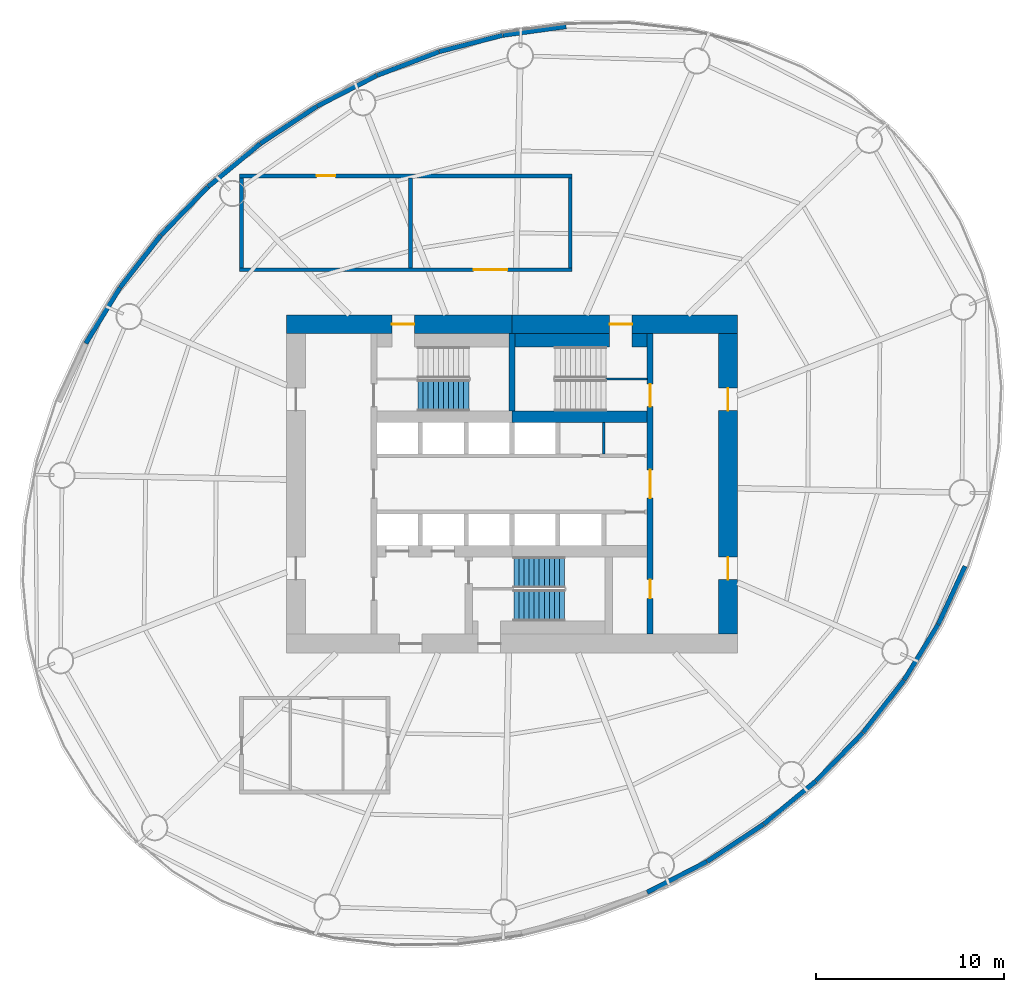
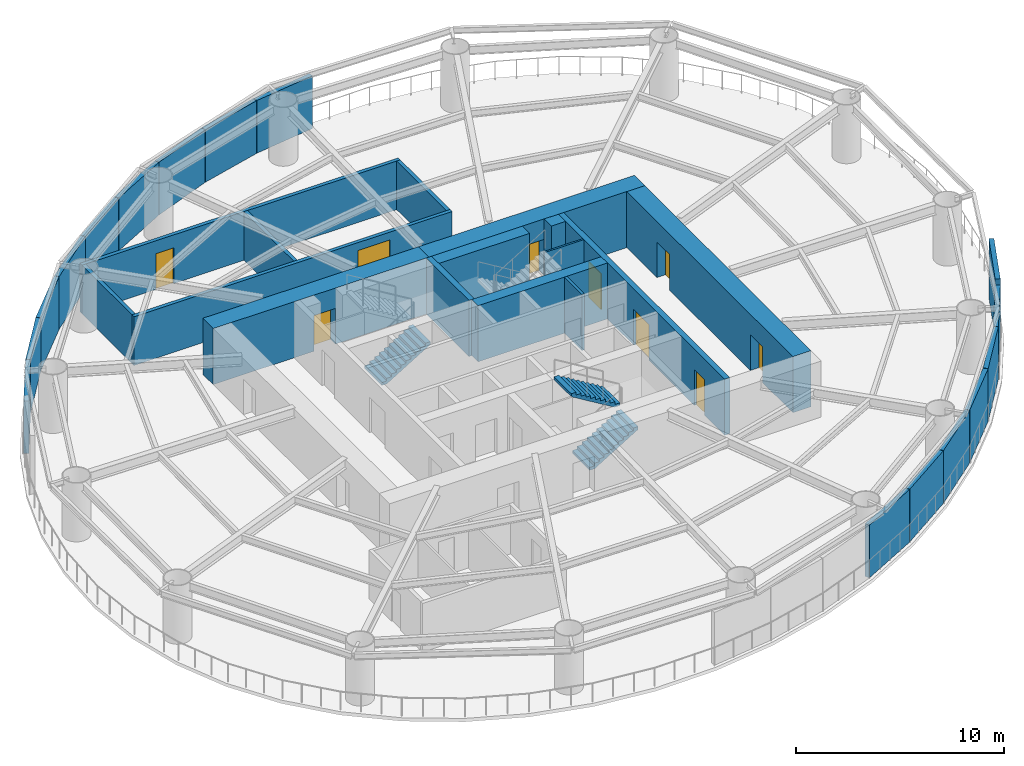
# One storey, part 4 of 8: 31 walls, 9 doors, 3 stair flights, 9 openings, 2 elements without a shape of their own.
"""IFC4 building model written with IfcOpenShell, lengths in metres."""

import ifcopenshell
import ifcopenshell.guid

model = None  # the IFC model being written
_history = None  # IfcOwnerHistory: only IFC2X3 demands one
_inside = {}  # id of a spatial element -> (the spatial element, [elements in it])
_under = {}  # id of a project, library or spatial element -> (it, [spatial elements below it])
_declared = {}  # id of a project -> (the project, [libraries it declares])
_typed = {}  # id of a type object -> (the type object, [elements of that type])
_made_of = {}  # id of a material, layer set ... -> (it, [elements and type objects made of it])


def new_model(schema):
    """Start an empty IFC model of exactly this schema.

    Asked for "IFC4X3", IfcOpenShell would pick the latest addendum, in which some entities
    have other attributes; the version numbers below select the first issue.
    IFC2X3 requires an IfcOwnerHistory on every rooted entity: one is made here for all.
    """
    global model, _history
    if schema == "IFC4X3":
        model = ifcopenshell.file(schema_version=(4, 3, 0, 0))
    else:
        model = ifcopenshell.file(schema=schema)
    _inside.clear()
    _under.clear()
    _declared.clear()
    _typed.clear()
    _made_of.clear()
    _history = None
    if model.schema == "IFC2X3":
        org = make("IfcOrganization", Name="unknown")
        user = make(
            "IfcPersonAndOrganization",
            ThePerson=make("IfcPerson", FamilyName="unknown"),
            TheOrganization=org,
        )
        app = make(
            "IfcApplication",
            ApplicationDeveloper=org,
            Version="unknown",
            ApplicationFullName="unknown",
            ApplicationIdentifier="unknown",
        )
        _history = make(
            "IfcOwnerHistory",
            OwningUser=user,
            OwningApplication=app,
            ChangeAction="ADDED",
            CreationDate=0,
        )
    return model


def make(cls, **values):
    """One entity of the class cls with the attributes given. An attribute that is None is left unset."""
    return model.create_entity(
        cls, **{name: value for name, value in values.items() if value is not None}
    )


def rooted(cls, **values):
    """An entity with a GlobalId (a new one), such as an element, a storey or a relation."""
    return make(cls, GlobalId=ifcopenshell.guid.new(), OwnerHistory=_history, **values)


def si_unit(unit_type, name, prefix=None):
    """IfcSIUnit, for example si_unit("LENGTHUNIT", "METRE", prefix="MILLI")."""
    return make("IfcSIUnit", UnitType=unit_type, Prefix=prefix, Name=name)


def assignment(units):
    """IfcUnitAssignment: the units of a project."""
    return None if units is None else make("IfcUnitAssignment", Units=units)


def point(xyz):
    """IfcCartesianPoint."""
    return None if xyz is None else make("IfcCartesianPoint", Coordinates=xyz)


def direction(xyz):
    """IfcDirection."""
    return None if xyz is None else make("IfcDirection", DirectionRatios=xyz)


def frame(location, z_axis=None, x_axis=None):
    """IfcAxis2Placement3D, a coordinate frame: its origin and axes. An axis left out is left unset."""
    return make(
        "IfcAxis2Placement3D",
        Location=point(location),
        Axis=direction(z_axis),
        RefDirection=direction(x_axis),
    )


def frame_2d(location, x_axis=None):
    """IfcAxis2Placement2D, a coordinate frame in the plane: its origin and x axis."""
    return make(
        "IfcAxis2Placement2D", Location=point(location), RefDirection=direction(x_axis)
    )


def origin():
    """The frame at (0, 0, 0) with its axes left unset."""
    return frame((0.0, 0.0, 0.0))


def place(relative_to, where):
    """IfcLocalPlacement: puts the frame where relative to a parent placement (None: the world)."""
    return make(
        "IfcLocalPlacement", PlacementRelTo=relative_to, RelativePlacement=where
    )


def context(
    kind, dimensions, precision=None, world=None, true_north=None, identifier=None
):
    """IfcGeometricRepresentationContext, for example the 3D "Model" context."""
    return make(
        "IfcGeometricRepresentationContext",
        ContextIdentifier=identifier,
        ContextType=kind,
        CoordinateSpaceDimension=dimensions,
        Precision=precision,
        WorldCoordinateSystem=world,
        TrueNorth=true_north,
    )


def subcontext(parent, identifier, kind, view, scale=None):
    """IfcGeometricRepresentationSubContext, for example "Body" below "Model"."""
    return make(
        "IfcGeometricRepresentationSubContext",
        ContextIdentifier=identifier,
        ContextType=kind,
        ParentContext=parent,
        TargetScale=scale,
        TargetView=view,
    )


def project(units=None, contexts=None):
    """IfcProject with its units and contexts."""
    return rooted(
        "IfcProject",
        Name="project",
        RepresentationContexts=contexts,
        UnitsInContext=assignment(units),
    )


def spatial(cls, under=None, at=None, **own):
    """A site, building, storey or space (cls), placed at a placement, below another one or the project."""
    s = rooted(cls, ObjectPlacement=at, **own)
    if under is not None:
        _under.setdefault(under.id(), (under, []))[1].append(s)
    return s


def polyline(points):
    """IfcPolyline through the points."""
    return make("IfcPolyline", Points=[point(p) for p in points])


def profile(cls, at=None, kind="AREA", **sizes):
    """A parametric profile (cls). Its sizes go by their IFC names, for example OverallWidth=200.0."""
    return make(cls, ProfileType=kind, Position=at, **sizes)


def rectangle(**sizes):
    """IfcRectangleProfileDef."""
    return profile("IfcRectangleProfileDef", **sizes)


def outline(outer, holes=None, kind="AREA"):
    """IfcArbitraryClosedProfileDef: a profile drawn as a closed curve; with holes, ...WithVoids."""
    if holes is None:
        return make("IfcArbitraryClosedProfileDef", ProfileType=kind, OuterCurve=outer)
    return make(
        "IfcArbitraryProfileDefWithVoids",
        ProfileType=kind,
        OuterCurve=outer,
        InnerCurves=holes,
    )


def extrude(swept, where, along, depth):
    """IfcExtrudedAreaSolid: the profile swept, set in the frame where, extruded along a direction by depth."""
    return make(
        "IfcExtrudedAreaSolid",
        SweptArea=swept,
        Position=where,
        ExtrudedDirection=direction(along),
        Depth=depth,
    )


def shape(context_of_items, identifier, shape_type, items):
    """IfcShapeRepresentation: the items that make up one representation, for example the "Body"."""
    return make(
        "IfcShapeRepresentation",
        ContextOfItems=context_of_items,
        RepresentationIdentifier=identifier,
        RepresentationType=shape_type,
        Items=items,
    )


def material(Name=None, Category=None):
    """IfcMaterial."""
    return make("IfcMaterial", Name=Name, Category=Category)


def layer(
    of_material, thickness, ventilated=None, Name=None, Category=None, Priority=None
):
    """IfcMaterialLayer: one layer of a wall or slab, of a material (None: an air gap)."""
    return make(
        "IfcMaterialLayer",
        Material=of_material,
        LayerThickness=thickness,
        IsVentilated=ventilated,
        Name=Name,
        Category=Category,
        Priority=Priority,
    )


def layer_set(layers, Name=None):
    """IfcMaterialLayerSet."""
    return make("IfcMaterialLayerSet", MaterialLayers=layers, LayerSetName=Name)


def made_of(thing, what):
    """Note that an element or type object is made of a material, layer set ...; save() writes the relation."""
    if what is not None:
        _made_of.setdefault(what.id(), (what, []))[1].append(thing)
    return thing


def type_object(cls, material=None, **own):
    """A type object (cls), such as IfcWallType, which elements share."""
    return made_of(rooted(cls, **own), material)


def element(
    cls,
    number,
    at=None,
    inside=None,
    cuts=None,
    type_object=None,
    material=None,
    context=None,
    identifier="Body",
    shape_type=None,
    held_by="IfcProductDefinitionShape",
    body=None,
    shapes=None,
    **own,
):
    """One element of the class cls, such as IfcWall. Its Tag is "e" and its number.

    at: its placement. inside: the storey or other place that contains it. cuts: it is an
    opening in that element (IfcRelVoidsElement). A single representation is given by context,
    identifier, shape_type and body (its items); several are given by shapes. held_by: the class
    of the entity that holds the representations. save() writes the other relations.
    """
    e = rooted(cls, Tag="e%d" % number, ObjectPlacement=at, **own)
    if body is not None:
        shapes = [shape(context, identifier, shape_type, body)]
    if shapes is not None:
        e.Representation = make(held_by, Representations=shapes)
    if inside is not None:
        _inside.setdefault(inside.id(), (inside, []))[1].append(e)
    if cuts is not None:
        rooted(
            "IfcRelVoidsElement", RelatingBuildingElement=cuts, RelatedOpeningElement=e
        )
    if type_object is not None:
        _typed.setdefault(type_object.id(), (type_object, []))[1].append(e)
    return made_of(e, material)


def fill(opening, filler):
    """IfcRelFillsElement: the door or window that sits in an opening."""
    return rooted(
        "IfcRelFillsElement",
        RelatingOpeningElement=opening,
        RelatedBuildingElement=filler,
    )


def aggregate(whole, parts):
    """IfcRelAggregates: a whole, such as a stair, and the parts it consists of."""
    return rooted("IfcRelAggregates", RelatingObject=whole, RelatedObjects=parts)


def save(model, path):
    """Write the relations noted so far, then the file.

    IfcRelAggregates (storeys below a building ...), IfcRelContainedInSpatialStructure (elements
    in a storey), IfcRelDefinesByType, IfcRelAssociatesMaterial and IfcRelDeclares: one each for
    every whole, place, type object, material and project.
    """
    for whole, parts in _under.values():
        aggregate(whole, parts)
    for where, things in _inside.values():
        rooted(
            "IfcRelContainedInSpatialStructure",
            RelatedElements=things,
            RelatingStructure=where,
        )
    for kind, things in _typed.values():
        rooted("IfcRelDefinesByType", RelatedObjects=things, RelatingType=kind)
    for what, things in _made_of.values():
        rooted("IfcRelAssociatesMaterial", RelatedObjects=things, RelatingMaterial=what)
    for by, libraries in _declared.values():
        rooted("IfcRelDeclares", RelatingContext=by, RelatedDefinitions=libraries)
    model.write(path)


model = new_model("IFC4")

# Units and contexts
model_context = context("Model", 3, precision=1e-05, world=origin(), true_north=direction((0.0, 1.0)))
body_context = subcontext(model_context, "Body", "Model", "MODEL_VIEW")
ifc_project = project(units=[si_unit("LENGTHUNIT", "METRE"), si_unit("AREAUNIT", "SQUARE_METRE"), si_unit("VOLUMEUNIT", "CUBIC_METRE"), si_unit("PLANEANGLEUNIT", "RADIAN"), si_unit("MASSUNIT", "GRAM", prefix="KILO")], contexts=[model_context])

# Site, building, storey
site_placement = place(None, origin())
site = spatial("IfcSite", under=ifc_project, at=site_placement, CompositionType="ELEMENT")
building_placement = place(site_placement, origin())
building = spatial("IfcBuilding", under=site, at=building_placement, Name="Vermilion Reach Broadcast Tower", CompositionType="ELEMENT")
storey_placement = place(building_placement, frame((0.0, 0.0, 179.39990234375)))
storey = spatial("IfcBuildingStorey", under=building, at=storey_placement, Name="L43", CompositionType="ELEMENT", Elevation=179.39990234375)

# Wall, openings, doors
ifc_material_1 = material(Name="Concrete C70", Category="concrete")
ifc_layer_1 = layer(ifc_material_1, 0.300048828125)
ifc_layer_set_1 = layer_set([ifc_layer_1], Name="Core inner wall 300 mm Concrete C70")
wall_type_1 = type_object("IfcWallType", Name="Core inner wall 300 mm Concrete C70", PredefinedType="SHEAR", material=ifc_layer_set_1)
wall_1_placement = place(storey_placement, frame((1.35009765625, -8.0, 0.0), z_axis=(0.0, 0.0, 1.0), x_axis=(0.0, 1.0, 0.0)))
wall_1 = element("IfcWall", 1, at=wall_1_placement, inside=storey, type_object=wall_type_1, Name="L43 core wall ewE", PredefinedType="SHEAR", context=body_context, shape_type="SweptSolid", body=[
    extrude(rectangle(XDim=16.0, YDim=0.300048828125, at=frame_2d((8.0, 0.0))), origin(), (0.0, 0.0, 1.0), 3.300048828125),
])
opening_1_placement = place(wall_1_placement, frame((12.110107421875, 0.0, 0.0)))
opening_1 = element("IfcOpeningElement", 2, at=opening_1_placement, cuts=wall_1, Name="Opening D01", PredefinedType="OPENING", context=body_context, shape_type="SweptSolid", body=[
    extrude(rectangle(XDim=1.199951171875, YDim=2.10009765625, at=frame_2d((0.60009765625, 1.050048828125))), frame((0.0, 0.159912109375, 0.0), z_axis=(0.0, -1.0, 0.0), x_axis=(1.0, 0.0, 0.0)), (0.0, 0.0, 1.0), 0.320068359375),
])
opening_2_placement = place(wall_1_placement, frame((1.909912109375, 0.0, 0.0)))
opening_2 = element("IfcOpeningElement", 3, at=opening_2_placement, cuts=wall_1, Name="Opening D05", PredefinedType="OPENING", context=body_context, shape_type="SweptSolid", body=[
    extrude(rectangle(XDim=1.0, YDim=2.10009765625, at=frame_2d((0.5, 1.050048828125))), frame((0.0, 0.159912109375, 0.0), z_axis=(0.0, -1.0, 0.0), x_axis=(1.0, 0.0, 0.0)), (0.0, 0.0, 1.0), 0.320068359375),
])
opening_3_placement = place(wall_1_placement, frame((7.25, 0.0, 0.0)))
opening_3 = element("IfcOpeningElement", 4, at=opening_3_placement, cuts=wall_1, Name="Opening D04", PredefinedType="OPENING", context=body_context, shape_type="SweptSolid", body=[
    extrude(rectangle(XDim=1.5, YDim=2.10009765625, at=frame_2d((0.75, 1.050048828125))), frame((0.0, 0.159912109375, 0.0), z_axis=(0.0, -1.0, 0.0), x_axis=(1.0, 0.0, 0.0)), (0.0, 0.0, 1.0), 0.320068359375),
])
ifc_material_2 = material(Name="Painted steel fire door", Category="steel")
door_type_1 = type_object("IfcDoorType", Name="Lift lobby door 1500 x 2100", OperationType="DOUBLE_DOOR_SINGLE_SWING", PredefinedType="NOTDEFINED", material=ifc_material_2)
door_1_placement = place(opening_3_placement, origin())
door_1 = element("IfcDoor", 5, at=door_1_placement, inside=storey, type_object=door_type_1, Name="L43 band door BE", OperationType="DOUBLE_DOOR_SINGLE_SWING", OverallHeight=2.10009765625, OverallWidth=1.5, PredefinedType="NOTDEFINED", context=body_context, shape_type="SweptSolid", body=[
    extrude(rectangle(XDim=1.5, YDim=2.10009765625, at=frame_2d((0.75, 1.050048828125))), frame((0.0, 0.02490234375, 0.0), z_axis=(0.0, -1.0, 0.0), x_axis=(1.0, 0.0, 0.0)), (0.0, 0.0, 1.0), 0.050048828125),
])
fill(opening_3, door_1)
ifc_material_3 = material(Name="Timber door", Category="wood")
door_type_2 = type_object("IfcDoorType", Name="Room door 1000 x 2100", OperationType="NOTDEFINED", PredefinedType="NOTDEFINED", material=ifc_material_3)
door_2_placement = place(opening_2_placement, origin())
door_2 = element("IfcDoor", 6, at=door_2_placement, inside=storey, type_object=door_type_2, Name="L43 door SER", OperationType="SINGLE_SWING_LEFT", OverallHeight=2.10009765625, OverallWidth=1.0, PredefinedType="NOTDEFINED", context=body_context, shape_type="SweptSolid", body=[
    extrude(rectangle(XDim=1.0, YDim=2.10009765625, at=frame_2d((0.5, 1.050048828125))), frame((0.0, 0.02490234375, 0.0), z_axis=(0.0, -1.0, 0.0), x_axis=(1.0, 0.0, 0.0)), (0.0, 0.0, 1.0), 0.050048828125),
])
fill(opening_2, door_2)
ifc_material_4 = material(Name="Painted steel fire door", Category="steel")
door_type_3 = type_object("IfcDoorType", Name="Stair door 1200 x 2100", OperationType="DOUBLE_DOOR_SINGLE_SWING", PredefinedType="NOTDEFINED", material=ifc_material_4)
door_3_placement = place(opening_1_placement, origin())
door_3 = element("IfcDoor", 7, at=door_3_placement, inside=storey, type_object=door_type_3, Name="L43 stair door ST2 arrival", OperationType="DOUBLE_DOOR_SINGLE_SWING", OverallHeight=2.10009765625, OverallWidth=1.199951171875, PredefinedType="NOTDEFINED", context=body_context, shape_type="SweptSolid", body=[
    extrude(rectangle(XDim=1.199951171875, YDim=2.10009765625, at=frame_2d((0.60009765625, 1.050048828125))), frame((0.0, 0.02490234375, 0.0), z_axis=(0.0, -1.0, 0.0), x_axis=(1.0, 0.0, 0.0)), (0.0, 0.0, 1.0), 0.050048828125),
])
fill(opening_1, door_3)

# Walls
wall_2_placement = place(storey_placement, frame((-6.0, 3.8798828125, 0.0), z_axis=(0.0, 0.0, 1.0), x_axis=(0.0, 1.0, 0.0)))
element("IfcWall", 8, at=wall_2_placement, inside=storey, type_object=wall_type_1, Name="L43 core wall wc", PredefinedType="SHEAR", context=body_context, shape_type="SweptSolid", body=[
    extrude(rectangle(XDim=4.1201171875, YDim=0.300048828125, at=frame_2d((2.06005859375, 0.0))), origin(), (0.0, 0.0, 1.0), 3.300048828125),
])
ifc_material_5 = material(Name="Concrete C70", Category="concrete")
ifc_layer_2 = layer(ifc_material_5, 0.60009765625)
ifc_layer_set_2 = layer_set([ifc_layer_2], Name="Core inner wall 600 mm Concrete C70")
wall_type_2 = type_object("IfcWallType", Name="Core inner wall 600 mm Concrete C70", PredefinedType="SHEAR", material=ifc_layer_set_2)
wall_3_placement = place(storey_placement, frame((-6.0, 3.580078125, 0.0), z_axis=(0.0, 0.0, 1.0), x_axis=(1.0, 0.0, 0.0)))
element("IfcWall", 9, at=wall_3_placement, inside=storey, type_object=wall_type_2, Name="L43 core wall winE", PredefinedType="SHEAR", context=body_context, shape_type="SweptSolid", body=[
    extrude(rectangle(XDim=7.199951171875, YDim=0.60009765625, at=frame_2d((3.60009765625, 0.0))), origin(), (0.0, 0.0, 1.0), 3.300048828125),
])

# Wall, opening, door
ifc_material_6 = material(Name="Concrete C70", Category="concrete")
ifc_layer_3 = layer(ifc_material_6, 1.0)
ifc_layer_set_3 = layer_set([ifc_layer_3], Name="Core outer wall 1000 mm Concrete C70")
wall_type_3 = type_object("IfcWallType", Name="Core outer wall 1000 mm Concrete C70", PredefinedType="SHEAR", material=ifc_layer_set_3)
wall_4_placement = place(storey_placement, frame((6.0, 8.5, 0.0), z_axis=(0.0, 0.0, 1.0), x_axis=(-1.0, 0.0, 0.0)))
wall_4 = element("IfcWall", 10, at=wall_4_placement, inside=storey, type_object=wall_type_3, Name="L43 core wall onE", PredefinedType="SHEAR", context=body_context, shape_type="SweptSolid", body=[
    extrude(rectangle(XDim=12.0, YDim=1.0, at=frame_2d((6.0, 0.0))), origin(), (0.0, 0.0, 1.0), 3.300048828125),
])
opening_4_placement = place(wall_4_placement, frame((5.60009765625, 0.0, 0.0)))
opening_4 = element("IfcOpeningElement", 11, at=opening_4_placement, cuts=wall_4, Name="Opening D01", PredefinedType="OPENING", context=body_context, shape_type="SweptSolid", body=[
    extrude(rectangle(XDim=1.199951171875, YDim=2.10009765625, at=frame_2d((0.60009765625, 1.050048828125))), frame((0.0, 0.510009765625, 0.0), z_axis=(0.0, -1.0, 0.0), x_axis=(1.0, 0.0, 0.0)), (0.0, 0.0, 1.0), 1.02001953125),
])
door_4_placement = place(opening_4_placement, origin())
door_4 = element("IfcDoor", 12, at=door_4_placement, inside=storey, type_object=door_type_3, Name="L43 stair door ST2 departure", OperationType="DOUBLE_DOOR_SINGLE_SWING", OverallHeight=2.10009765625, OverallWidth=1.199951171875, PredefinedType="NOTDEFINED", context=body_context, shape_type="SweptSolid", body=[
    extrude(rectangle(XDim=1.199951171875, YDim=2.10009765625, at=frame_2d((0.60009765625, 1.050048828125))), frame((0.0, 0.02490234375, 0.0), z_axis=(0.0, -1.0, 0.0), x_axis=(1.0, 0.0, 0.0)), (0.0, 0.0, 1.0), 0.050048828125),
])
fill(opening_4, door_4)

wall_5_placement = place(storey_placement, frame((-6.0, 8.5, 0.0), z_axis=(0.0, 0.0, 1.0), x_axis=(-1.0, 0.0, 0.0)))
wall_5 = element("IfcWall", 13, at=wall_5_placement, inside=storey, type_object=wall_type_3, Name="L43 core wall onW", PredefinedType="SHEAR", context=body_context, shape_type="SweptSolid", body=[
    extrude(rectangle(XDim=12.0, YDim=1.0, at=frame_2d((6.0, 0.0))), origin(), (0.0, 0.0, 1.0), 3.300048828125),
])
opening_5_placement = place(wall_5_placement, frame((5.199951171875, 0.0, 0.0)))
opening_5 = element("IfcOpeningElement", 14, at=opening_5_placement, cuts=wall_5, Name="Opening D01", PredefinedType="OPENING", context=body_context, shape_type="SweptSolid", body=[
    extrude(rectangle(XDim=1.199951171875, YDim=2.10009765625, at=frame_2d((0.60009765625, 1.050048828125))), frame((0.0, 0.510009765625, 0.0), z_axis=(0.0, -1.0, 0.0), x_axis=(1.0, 0.0, 0.0)), (0.0, 0.0, 1.0), 1.02001953125),
])
door_5_placement = place(opening_5_placement, origin())
door_5 = element("IfcDoor", 15, at=door_5_placement, inside=storey, type_object=door_type_3, Name="L43 stair door ST1 arrival", OperationType="DOUBLE_DOOR_SINGLE_SWING", OverallHeight=2.10009765625, OverallWidth=1.199951171875, PredefinedType="NOTDEFINED", context=body_context, shape_type="SweptSolid", body=[
    extrude(rectangle(XDim=1.199951171875, YDim=2.10009765625, at=frame_2d((0.60009765625, 1.050048828125))), frame((0.0, 0.02490234375, 0.0), z_axis=(0.0, -1.0, 0.0), x_axis=(1.0, 0.0, 0.0)), (0.0, 0.0, 1.0), 0.050048828125),
])
fill(opening_5, door_5)

# Wall, openings, doors
wall_6_placement = place(storey_placement, frame((5.5, -8.0, 0.0), z_axis=(0.0, 0.0, 1.0), x_axis=(0.0, 1.0, 0.0)))
wall_6 = element("IfcWall", 16, at=wall_6_placement, inside=storey, type_object=wall_type_3, Name="L43 core wall oe", PredefinedType="SHEAR", context=body_context, shape_type="SweptSolid", body=[
    extrude(rectangle(XDim=16.0, YDim=1.0, at=frame_2d((8.0, 0.0))), origin(), (0.0, 0.0, 1.0), 3.300048828125),
])
opening_6_placement = place(wall_6_placement, frame((2.89990234375, 0.0, 0.0)))
opening_6 = element("IfcOpeningElement", 17, at=opening_6_placement, cuts=wall_6, Name="Opening D03", PredefinedType="OPENING", context=body_context, shape_type="SweptSolid", body=[
    extrude(rectangle(XDim=1.199951171875, YDim=2.10009765625, at=frame_2d((0.60009765625, 1.050048828125))), frame((0.0, 0.510009765625, 0.0), z_axis=(0.0, -1.0, 0.0), x_axis=(1.0, 0.0, 0.0)), (0.0, 0.0, 1.0), 1.02001953125),
])
opening_7_placement = place(wall_6_placement, frame((11.89990234375, 0.0, 0.0)))
opening_7 = element("IfcOpeningElement", 18, at=opening_7_placement, cuts=wall_6, Name="Opening D03", PredefinedType="OPENING", context=body_context, shape_type="SweptSolid", body=[
    extrude(rectangle(XDim=1.199951171875, YDim=2.10009765625, at=frame_2d((0.60009765625, 1.050048828125))), frame((0.0, 0.510009765625, 0.0), z_axis=(0.0, -1.0, 0.0), x_axis=(1.0, 0.0, 0.0)), (0.0, 0.0, 1.0), 1.02001953125),
])
ifc_material_7 = material(Name="Painted steel fire door", Category="steel")
door_type_4 = type_object("IfcDoorType", Name="Core lobby door 1200 x 2100", OperationType="DOUBLE_DOOR_SINGLE_SWING", PredefinedType="NOTDEFINED", material=ifc_material_7)
door_6_placement = place(opening_6_placement, origin())
door_6 = element("IfcDoor", 19, at=door_6_placement, inside=storey, type_object=door_type_4, Name="L43 slot door E0", OperationType="DOUBLE_DOOR_SINGLE_SWING", OverallHeight=2.10009765625, OverallWidth=1.199951171875, PredefinedType="NOTDEFINED", context=body_context, shape_type="SweptSolid", body=[
    extrude(rectangle(XDim=1.199951171875, YDim=2.10009765625, at=frame_2d((0.60009765625, 1.050048828125))), frame((0.0, 0.02490234375, 0.0), z_axis=(0.0, -1.0, 0.0), x_axis=(1.0, 0.0, 0.0)), (0.0, 0.0, 1.0), 0.050048828125),
])
fill(opening_6, door_6)
door_7_placement = place(opening_7_placement, origin())
door_7 = element("IfcDoor", 20, at=door_7_placement, inside=storey, type_object=door_type_4, Name="L43 slot door E1", OperationType="DOUBLE_DOOR_SINGLE_SWING", OverallHeight=2.10009765625, OverallWidth=1.199951171875, PredefinedType="NOTDEFINED", context=body_context, shape_type="SweptSolid", body=[
    extrude(rectangle(XDim=1.199951171875, YDim=2.10009765625, at=frame_2d((0.60009765625, 1.050048828125))), frame((0.0, 0.02490234375, 0.0), z_axis=(0.0, -1.0, 0.0), x_axis=(1.0, 0.0, 0.0)), (0.0, 0.0, 1.0), 0.050048828125),
])
fill(opening_7, door_7)

# Walls
ifc_material_8 = material(Name="Masonry block", Category="masonry")
ifc_layer_4 = layer(ifc_material_8, 0.14990234375)
ifc_layer_set_4 = layer_set([ifc_layer_4], Name="Core partition wall 150 mm Masonry block")
wall_type_4 = type_object("IfcWallType", Name="Core partition wall 150 mm Masonry block", PredefinedType="PARTITIONING", material=ifc_layer_set_4)
wall_7_placement = place(storey_placement, frame((-1.11669921875, 1.60009765625, 0.0), z_axis=(0.0, 0.0, 1.0), x_axis=(0.0, 1.0, 0.0)))
element("IfcWall", 21, at=wall_7_placement, inside=storey, type_object=wall_type_4, Name="L43 core wall prN4883", PredefinedType="PARTITIONING", context=body_context, shape_type="SweptSolid", body=[
    extrude(rectangle(XDim=1.679931640625, YDim=0.14990234375, at=frame_2d((0.83984375, 0.0))), origin(), (0.0, 0.0, 1.0), 3.300048828125),
])
ifc_material_9 = material(Name="Concrete C70", Category="concrete")
ifc_layer_5 = layer(ifc_material_9, 0.10009765625)
ifc_layer_set_5 = layer_set([ifc_layer_5], Name="Core stair wall 100 mm Concrete C70")
wall_type_5 = type_object("IfcWallType", Name="Core stair wall 100 mm Concrete C70", PredefinedType="SHEAR", material=ifc_layer_set_5)
wall_8_placement = place(storey_placement, frame((1.199951171875, 5.590087890625, 0.0), z_axis=(0.0, 0.0, 1.0), x_axis=(-1.0, 0.0, 0.0)))
element("IfcWall", 22, at=wall_8_placement, inside=storey, type_object=wall_type_5, Name="L43 core wall dv2", PredefinedType="SHEAR", context=body_context, shape_type="SweptSolid", body=[
    extrude(rectangle(XDim=2.199951171875, YDim=0.10009765625, at=frame_2d((1.10009765625, 0.0))), origin(), (0.0, 0.0, 1.0), 3.300048828125),
])
ifc_material_10 = material(Name="Concrete C70", Category="concrete")
ifc_layer_6 = layer(ifc_material_10, 0.699951171875)
ifc_layer_set_6 = layer_set([ifc_layer_6], Name="Core stair wall 700 mm Concrete C70")
wall_type_6 = type_object("IfcWallType", Name="Core stair wall 700 mm Concrete C70", PredefinedType="SHEAR", material=ifc_layer_set_6)
wall_9_placement = place(storey_placement, frame((-5.85009765625, 7.64990234375, 0.0), z_axis=(0.0, 0.0, 1.0), x_axis=(1.0, 0.0, 0.0)))
element("IfcWall", 23, at=wall_9_placement, inside=storey, type_object=wall_type_6, Name="L43 core wall l2a", PredefinedType="SHEAR", context=body_context, shape_type="SweptSolid", body=[
    extrude(rectangle(XDim=5.050048828125, YDim=0.699951171875, at=frame_2d((2.52490234375, 0.0))), origin(), (0.0, 0.0, 1.0), 3.300048828125),
])
wall_10_placement = place(storey_placement, frame((0.39990234375, 7.64990234375, 0.0), z_axis=(0.0, 0.0, 1.0), x_axis=(1.0, 0.0, 0.0)))
element("IfcWall", 24, at=wall_10_placement, inside=storey, type_object=wall_type_6, Name="L43 core wall l2b", PredefinedType="SHEAR", context=body_context, shape_type="SweptSolid", body=[
    extrude(rectangle(XDim=0.800048828125, YDim=0.699951171875, at=frame_2d((0.39990234375, 0.0))), origin(), (0.0, 0.0, 1.0), 3.300048828125),
])
ifc_material_11 = material(Name="Anodised aluminium louvre cladding", Category="aluminium")
ifc_layer_7 = layer(ifc_material_11, 0.25)
ifc_layer_set_7 = layer_set([ifc_layer_7], Name="Plant louvre wall 250")
wall_type_7 = type_object("IfcWallType", Name="Plant louvre wall 250", PredefinedType="SOLIDWALL", material=ifc_layer_set_7)
wall_11_placement = place(storey_placement, frame((16.705078125, -7.46630859375, 0.0), z_axis=(0.0, 0.0, 1.0), x_axis=(0.419696101817, 0.90766468595, 0.0)))
element("IfcWall", 25, at=wall_11_placement, inside=storey, type_object=wall_type_7, Name="Refuge louvre wall L43 40", PredefinedType="SOLIDWALL", context=body_context, shape_type="SweptSolid", body=[
    extrude(rectangle(XDim=3.397216796875, YDim=0.25, at=frame_2d((1.69873046875, 0.0))), origin(), (0.0, 0.0, 1.0), 3.4501953125),
])
ifc_material_12 = material(Name="Anodised aluminium louvre cladding", Category="aluminium")
ifc_layer_8 = layer(ifc_material_12, 0.25)
ifc_layer_set_8 = layer_set([ifc_layer_8], Name="Plant louvre wall 250, head 350 below soffit")
wall_type_8 = type_object("IfcWallType", Name="Plant louvre wall 250, head 350 below soffit", PredefinedType="SOLIDWALL", material=ifc_layer_set_8)
wall_12_placement = place(storey_placement, frame((-3.119140625, 24.35595703125, 0.0), z_axis=(0.0, 0.0, 1.0), x_axis=(-0.990801720843, -0.135321653757, 0.0)))
element("IfcWall", 26, at=wall_12_placement, inside=storey, type_object=wall_type_8, Name="Refuge louvre wall L43 07", PredefinedType="SOLIDWALL", context=body_context, shape_type="SweptSolid", body=[
    extrude(rectangle(XDim=3.397216796875, YDim=0.25, at=frame_2d((1.69873046875, 0.0))), origin(), (0.0, 0.0, 1.0), 3.10009765625),
])
wall_13_placement = place(storey_placement, frame((-6.50732421875, 23.891845703125, 0.0), z_axis=(0.0, 0.0, 1.0), x_axis=(-0.968247112596, -0.249995057849, 0.0)))
element("IfcWall", 27, at=wall_13_placement, inside=storey, type_object=wall_type_8, Name="Refuge louvre wall L43 08", PredefinedType="SOLIDWALL", context=body_context, shape_type="SweptSolid", body=[
    extrude(rectangle(XDim=3.4697265625, YDim=0.25, at=frame_2d((1.73486328125, 0.0))), origin(), (0.0, 0.0, 1.0), 3.10009765625),
])
wall_14_placement = place(storey_placement, frame((-9.887939453125, 23.017578125, 0.0), z_axis=(0.0, 0.0, 1.0), x_axis=(-0.933996829101, -0.357281294262, 0.0)))
element("IfcWall", 28, at=wall_14_placement, inside=storey, type_object=wall_type_8, Name="Refuge louvre wall L43 09", PredefinedType="SOLIDWALL", context=body_context, shape_type="SweptSolid", body=[
    extrude(rectangle(XDim=3.528076171875, YDim=0.25, at=frame_2d((1.76416015625, 0.0))), origin(), (0.0, 0.0, 1.0), 3.10009765625),
])
wall_15_placement = place(storey_placement, frame((-13.202880859375, 21.748291015625, 0.0), z_axis=(0.0, 0.0, 1.0), x_axis=(-0.889237716381, -0.457445388833, 0.0)))
element("IfcWall", 29, at=wall_15_placement, inside=storey, type_object=wall_type_8, Name="Refuge louvre wall L43 10", PredefinedType="SOLIDWALL", context=body_context, shape_type="SweptSolid", body=[
    extrude(rectangle(XDim=3.56884765625, YDim=0.25, at=frame_2d((1.784423828125, 0.0))), origin(), (0.0, 0.0, 1.0), 3.10009765625),
])
wall_16_placement = place(storey_placement, frame((-16.39501953125, 20.10498046875, 0.0), z_axis=(0.0, 0.0, 1.0), x_axis=(-0.834771348856, -0.55059676273, 0.0)))
element("IfcWall", 30, at=wall_16_placement, inside=storey, type_object=wall_type_8, Name="Refuge louvre wall L43 11", PredefinedType="SOLIDWALL", context=body_context, shape_type="SweptSolid", body=[
    extrude(rectangle(XDim=3.58935546875, YDim=0.25, at=frame_2d((1.794677734375, 0.0))), origin(), (0.0, 0.0, 1.0), 3.10009765625),
])
wall_17_placement = place(storey_placement, frame((-19.40869140625, 18.115966796875, 0.0), z_axis=(0.0, 0.0, 1.0), x_axis=(-0.771012569009, -0.63681992622, 0.0)))
element("IfcWall", 31, at=wall_17_placement, inside=storey, type_object=wall_type_8, Name="Refuge louvre wall L43 12", PredefinedType="SOLIDWALL", context=body_context, shape_type="SweptSolid", body=[
    extrude(rectangle(XDim=3.589599609375, YDim=0.25, at=frame_2d((1.794921875, 0.0))), origin(), (0.0, 0.0, 1.0), 3.10009765625),
])
wall_18_placement = place(storey_placement, frame((-22.19189453125, 15.815673828125, 0.0), z_axis=(0.0, 0.0, 1.0), x_axis=(-0.697915115283, -0.716180488326, 0.0)))
element("IfcWall", 32, at=wall_18_placement, inside=storey, type_object=wall_type_8, Name="Refuge louvre wall L43 13", PredefinedType="SOLIDWALL", context=body_context, shape_type="SweptSolid", body=[
    extrude(rectangle(XDim=3.56884765625, YDim=0.25, at=frame_2d((1.784423828125, 0.0))), origin(), (0.0, 0.0, 1.0), 3.10009765625),
])
wall_19_placement = place(storey_placement, frame((-24.697021484375, 13.243408203125, 0.0), z_axis=(0.0, 0.0, 1.0), x_axis=(-0.615333786545, -0.788266662454, 0.0)))
element("IfcWall", 33, at=wall_19_placement, inside=storey, type_object=wall_type_8, Name="Refuge louvre wall L43 14", PredefinedType="SOLIDWALL", context=body_context, shape_type="SweptSolid", body=[
    extrude(rectangle(XDim=3.528076171875, YDim=0.25, at=frame_2d((1.76416015625, 0.0))), origin(), (0.0, 0.0, 1.0), 3.10009765625),
])
wall_20_placement = place(storey_placement, frame((-26.88037109375, 10.4443359375, 0.0), z_axis=(0.0, 0.0, 1.0), x_axis=(-0.522769927115, -0.852473813853, 0.0)))
element("IfcWall", 34, at=wall_20_placement, inside=storey, type_object=wall_type_8, Name="Refuge louvre wall L43 15", PredefinedType="SOLIDWALL", context=body_context, shape_type="SweptSolid", body=[
    extrude(rectangle(XDim=3.469970703125, YDim=0.25, at=frame_2d((1.73486328125, 0.0))), origin(), (0.0, 0.0, 1.0), 3.10009765625),
])
wall_21_placement = place(storey_placement, frame((1.202880859375, -21.748291015625, 0.0), z_axis=(0.0, 0.0, 1.0), x_axis=(0.889237716381, 0.457445388833, 0.0)))
element("IfcWall", 35, at=wall_21_placement, inside=storey, type_object=wall_type_8, Name="Refuge louvre wall L43 34", PredefinedType="SOLIDWALL", context=body_context, shape_type="SweptSolid", body=[
    extrude(rectangle(XDim=3.56884765625, YDim=0.25, at=frame_2d((1.784423828125, 0.0))), origin(), (0.0, 0.0, 1.0), 3.10009765625),
])
wall_22_placement = place(storey_placement, frame((4.39501953125, -20.10498046875, 0.0), z_axis=(0.0, 0.0, 1.0), x_axis=(0.834771348856, 0.55059676273, 0.0)))
element("IfcWall", 36, at=wall_22_placement, inside=storey, type_object=wall_type_8, Name="Refuge louvre wall L43 35", PredefinedType="SOLIDWALL", context=body_context, shape_type="SweptSolid", body=[
    extrude(rectangle(XDim=3.58935546875, YDim=0.25, at=frame_2d((1.794677734375, 0.0))), origin(), (0.0, 0.0, 1.0), 3.10009765625),
])
wall_23_placement = place(storey_placement, frame((7.40869140625, -18.115966796875, 0.0), z_axis=(0.0, 0.0, 1.0), x_axis=(0.771012569009, 0.63681992622, 0.0)))
element("IfcWall", 37, at=wall_23_placement, inside=storey, type_object=wall_type_8, Name="Refuge louvre wall L43 36", PredefinedType="SOLIDWALL", context=body_context, shape_type="SweptSolid", body=[
    extrude(rectangle(XDim=3.589599609375, YDim=0.25, at=frame_2d((1.794921875, 0.0))), origin(), (0.0, 0.0, 1.0), 3.10009765625),
])
wall_24_placement = place(storey_placement, frame((10.19189453125, -15.815673828125, 0.0), z_axis=(0.0, 0.0, 1.0), x_axis=(0.697915115283, 0.716180488326, 0.0)))
element("IfcWall", 38, at=wall_24_placement, inside=storey, type_object=wall_type_8, Name="Refuge louvre wall L43 37", PredefinedType="SOLIDWALL", context=body_context, shape_type="SweptSolid", body=[
    extrude(rectangle(XDim=3.56884765625, YDim=0.25, at=frame_2d((1.784423828125, 0.0))), origin(), (0.0, 0.0, 1.0), 3.10009765625),
])
wall_25_placement = place(storey_placement, frame((12.697021484375, -13.243408203125, 0.0), z_axis=(0.0, 0.0, 1.0), x_axis=(0.615333786545, 0.788266662454, 0.0)))
element("IfcWall", 39, at=wall_25_placement, inside=storey, type_object=wall_type_8, Name="Refuge louvre wall L43 38", PredefinedType="SOLIDWALL", context=body_context, shape_type="SweptSolid", body=[
    extrude(rectangle(XDim=3.528076171875, YDim=0.25, at=frame_2d((1.76416015625, 0.0))), origin(), (0.0, 0.0, 1.0), 3.10009765625),
])
wall_26_placement = place(storey_placement, frame((14.88037109375, -10.4443359375, 0.0), z_axis=(0.0, 0.0, 1.0), x_axis=(0.522769927115, 0.852473813853, 0.0)))
element("IfcWall", 40, at=wall_26_placement, inside=storey, type_object=wall_type_8, Name="Refuge louvre wall L43 39", PredefinedType="SOLIDWALL", context=body_context, shape_type="SweptSolid", body=[
    extrude(rectangle(XDim=3.469970703125, YDim=0.25, at=frame_2d((1.73486328125, 0.0))), origin(), (0.0, 0.0, 1.0), 3.10009765625),
])

# Wall, opening, door
ifc_material_13 = material(Name="Gypsum board shaft wall")
ifc_layer_9 = layer(ifc_material_13, 0.199951171875)
ifc_layer_set_9 = layer_set([ifc_layer_9], Name="Plant room wall 200")
wall_type_9 = type_object("IfcWallType", Name="Plant room wall 200", PredefinedType="PARTITIONING", material=ifc_layer_set_9)
wall_27_placement = place(storey_placement, frame((-2.7998046875, 11.39990234375, 0.0), z_axis=(0.0, 0.0, 1.0), x_axis=(-1.0, 0.0, 0.0)))
wall_27 = element("IfcWall", 41, at=wall_27_placement, inside=storey, type_object=wall_type_9, Name="sp.wall.L43.000", PredefinedType="PARTITIONING", context=body_context, shape_type="SweptSolid", body=[
    extrude(rectangle(XDim=17.7001953125, YDim=0.199951171875, at=frame_2d((8.85009765625, 0.0))), origin(), (0.0, 0.0, 1.0), 2.862060546875),
])
opening_8_placement = place(wall_27_placement, frame((3.4501953125, 0.0, 0.0)))
opening_8 = element("IfcOpeningElement", 42, at=opening_8_placement, cuts=wall_27, Name="Opening D53", PredefinedType="OPENING", context=body_context, shape_type="SweptSolid", body=[
    extrude(rectangle(XDim=1.800048828125, YDim=2.39990234375, at=frame_2d((0.89990234375, 1.199951171875))), frame((0.0, 0.10986328125, 0.0), z_axis=(0.0, -1.0, 0.0), x_axis=(1.0, 0.0, 0.0)), (0.0, 0.0, 1.0), 0.219970703125),
])
ifc_material_14 = material(Name="Timber and steel door set", Category="steel")
door_type_5 = type_object("IfcDoorType", Name="Plant double door 1800x2400", OperationType="NOTDEFINED", PredefinedType="DOOR", material=ifc_material_14)
door_8_placement = place(opening_8_placement, origin())
door_8 = element("IfcDoor", 43, at=door_8_placement, inside=storey, type_object=door_type_5, Name="sp.door.L43.001", OperationType="DOUBLE_DOOR_SINGLE_SWING", OverallHeight=2.39990234375, OverallWidth=1.800048828125, PredefinedType="DOOR", context=body_context, shape_type="SweptSolid", body=[
    extrude(rectangle(XDim=1.800048828125, YDim=2.39990234375, at=frame_2d((0.89990234375, 1.199951171875))), frame((0.0, 0.02490234375, 0.0), z_axis=(0.0, -1.0, 0.0), x_axis=(1.0, 0.0, 0.0)), (0.0, 0.0, 1.0), 0.050048828125),
])
fill(opening_8, door_8)

# Wall
wall_28_placement = place(storey_placement, frame((-11.39990234375, 11.5, 0.0), z_axis=(0.0, 0.0, 1.0), x_axis=(0.0, 1.0, 0.0)))
element("IfcWall", 44, at=wall_28_placement, inside=storey, type_object=wall_type_9, Name="sp.wall.L43.002", PredefinedType="PARTITIONING", context=body_context, shape_type="SweptSolid", body=[
    extrude(rectangle(XDim=4.800048828125, YDim=0.199951171875, at=frame_2d((2.39990234375, 0.0))), origin(), (0.0, 0.0, 1.0), 2.862060546875),
])

# Wall, opening, door
wall_29_placement = place(storey_placement, frame((-2.800048828125, 16.39990234375, 0.0), z_axis=(0.0, 0.0, 1.0), x_axis=(-1.0, 0.0, 0.0)))
wall_29 = element("IfcWall", 45, at=wall_29_placement, inside=storey, type_object=wall_type_9, Name="sp.wall.L43.003", PredefinedType="PARTITIONING", context=body_context, shape_type="SweptSolid", body=[
    extrude(rectangle(XDim=17.699951171875, YDim=0.199951171875, at=frame_2d((8.85009765625, 0.0))), origin(), (0.0, 0.0, 1.0), 2.862060546875),
])
opening_9_placement = place(wall_29_placement, frame((12.60009765625, 0.0, 0.0)))
opening_9 = element("IfcOpeningElement", 46, at=opening_9_placement, cuts=wall_29, Name="Opening D54", PredefinedType="OPENING", context=body_context, shape_type="SweptSolid", body=[
    extrude(rectangle(XDim=1.0, YDim=2.10009765625, at=frame_2d((0.5, 1.050048828125))), frame((0.0, 0.10986328125, 0.0), z_axis=(0.0, -1.0, 0.0), x_axis=(1.0, 0.0, 0.0)), (0.0, 0.0, 1.0), 0.219970703125),
])
ifc_material_15 = material(Name="Timber and steel door set", Category="steel")
door_type_6 = type_object("IfcDoorType", Name="Fire door 1000x2100", OperationType="NOTDEFINED", PredefinedType="DOOR", material=ifc_material_15)
door_9_placement = place(opening_9_placement, origin())
door_9 = element("IfcDoor", 47, at=door_9_placement, inside=storey, type_object=door_type_6, Name="sp.door.L43.000", OperationType="SINGLE_SWING_LEFT", OverallHeight=2.10009765625, OverallWidth=1.0, PredefinedType="DOOR", context=body_context, shape_type="SweptSolid", body=[
    extrude(rectangle(XDim=1.0, YDim=2.10009765625, at=frame_2d((0.5, 1.050048828125))), frame((0.0, 0.02490234375, 0.0), z_axis=(0.0, -1.0, 0.0), x_axis=(1.0, 0.0, 0.0)), (0.0, 0.0, 1.0), 0.050048828125),
])
fill(opening_9, door_9)

# Walls
for number, where, z_axis, x_axis, name in (
    (48, (-20.39990234375, 11.5, 0.0), (0.0, 0.0, 1.0), (0.0, 1.0, 0.0), "sp.wall.L43.004"),
    (49, (-2.89990234375, 11.5, 0.0), (0.0, 0.0, 1.0), (0.0, 1.0, 0.0), "sp.wall.L43.005"),
):
    element("IfcWall", number, at=place(storey_placement, frame(where, z_axis=z_axis, x_axis=x_axis)), inside=storey, type_object=wall_type_9, Name=name, PredefinedType="PARTITIONING", context=body_context, shape_type="SweptSolid", body=[
        extrude(rectangle(XDim=4.800048828125, YDim=0.199951171875, at=frame_2d((2.39990234375, 0.0))), origin(), (0.0, 0.0, 1.0), 2.862060546875),
    ])

# Stair, stair flight
ifc_material_16 = material(Name="Concrete C40", Category="concrete")
stair_type = type_object("IfcStairType", Name="Exit stair RC 22 risers 164 mm", PredefinedType="HALF_TURN_STAIR", material=ifc_material_16)
placement = place(storey_placement, origin())
stair_1 = element("IfcStair", 50, at=placement, inside=storey, type_object=stair_type, Name="L43 Exit stair ST1", PredefinedType="HALF_TURN_STAIR")
ifc_material_17 = material(Name="Concrete C40", Category="concrete")
stair_flight_type = type_object("IfcStairFlightType", Name="Exit stair flight RC 11 risers", PredefinedType="STRAIGHT", material=ifc_material_17)
stair_flight_1_placement = place(storey_placement, frame((-11.0, 4.7099609375, 0.0), z_axis=(0.0, 0.0, 1.0), x_axis=(1.0, 0.0, 0.0)))
stair_flight_1 = element("IfcStairFlight", 51, at=stair_flight_1_placement, type_object=stair_flight_type, Name="ST1 flight 1", NumberOfRisers=11, NumberOfTreads=10, PredefinedType="STRAIGHT", RiserHeight=0.163636364, TreadLength=0.27, context=body_context, shape_type="SweptSolid", body=[
    extrude(outline(polyline([(0.0, 0.0), (0.0, 0.16357421875), (0.27001953125, 0.16357421875), (0.27001953125, 0.327392578125), (0.5400390625, 0.327392578125), (0.5400390625, 0.490966796875), (0.81005859375, 0.490966796875), (0.81005859375, 0.654541015625), (1.080078125, 0.654541015625), (1.080078125, 0.818115234375), (1.35009765625, 0.818115234375), (1.35009765625, 0.98193359375), (1.6201171875, 0.98193359375), (1.6201171875, 1.1455078125), (1.889892578125, 1.1455078125), (1.889892578125, 1.30908203125), (2.159912109375, 1.30908203125), (2.159912109375, 1.47265625), (2.429931640625, 1.47265625), (2.429931640625, 1.636474609375), (2.699951171875, 1.636474609375), (2.699951171875, 1.800048828125), (2.699951171875, 1.461181640625), (0.289306640625, 0.0), (0.0, 0.0)])), frame((0.0, 0.830078125, 0.0), z_axis=(0.0, -1.0, 0.0), x_axis=(1.0, 0.0, 0.0)), (0.0, 0.0, 1.0), 1.659912109375),
])
aggregate(stair_1, [stair_flight_1])

# Stair, stair flights
stair_2 = element("IfcStair", 52, at=placement, inside=storey, type_object=stair_type, Name="L43 Exit stair ST3", PredefinedType="HALF_TURN_STAIR")
stair_flight_2_placement = place(storey_placement, frame((-5.89990234375, -6.469970703125, 0.0), z_axis=(0.0, 0.0, 1.0), x_axis=(1.0, 0.0, 0.0)))
stair_flight_2 = element("IfcStairFlight", 53, at=stair_flight_2_placement, type_object=stair_flight_type, Name="ST3 flight 1", NumberOfRisers=11, NumberOfTreads=10, PredefinedType="STRAIGHT", RiserHeight=0.163636364, TreadLength=0.27, context=body_context, shape_type="SweptSolid", body=[
    extrude(outline(polyline([(0.0, 0.0), (0.0, 0.16357421875), (0.27001953125, 0.16357421875), (0.27001953125, 0.327392578125), (0.5400390625, 0.327392578125), (0.5400390625, 0.490966796875), (0.81005859375, 0.490966796875), (0.81005859375, 0.654541015625), (1.080078125, 0.654541015625), (1.080078125, 0.818115234375), (1.35009765625, 0.818115234375), (1.35009765625, 0.98193359375), (1.6201171875, 0.98193359375), (1.6201171875, 1.1455078125), (1.889892578125, 1.1455078125), (1.889892578125, 1.30908203125), (2.159912109375, 1.30908203125), (2.159912109375, 1.47265625), (2.429931640625, 1.47265625), (2.429931640625, 1.636474609375), (2.699951171875, 1.636474609375), (2.699951171875, 1.800048828125), (2.699951171875, 1.461181640625), (0.289306640625, 0.0), (0.0, 0.0)])), frame((0.0, 0.830078125, 0.0), z_axis=(0.0, -1.0, 0.0), x_axis=(1.0, 0.0, 0.0)), (0.0, 0.0, 1.0), 1.659912109375),
])
stair_flight_3_placement = place(storey_placement, frame((-3.199951171875, -4.7099609375, 1.800048828125), z_axis=(0.0, 0.0, 1.0), x_axis=(-1.0, 0.0, 0.0)))
stair_flight_3 = element("IfcStairFlight", 54, at=stair_flight_3_placement, type_object=stair_flight_type, Name="ST3 flight 2", NumberOfRisers=11, NumberOfTreads=10, PredefinedType="STRAIGHT", RiserHeight=0.163636364, TreadLength=0.27, context=body_context, shape_type="SweptSolid", body=[
    extrude(outline(polyline([(0.0, 0.0), (0.0, 0.16357421875), (0.27001953125, 0.16357421875), (0.27001953125, 0.327392578125), (0.5400390625, 0.327392578125), (0.5400390625, 0.490966796875), (0.81005859375, 0.490966796875), (0.81005859375, 0.654541015625), (1.080078125, 0.654541015625), (1.080078125, 0.818115234375), (1.35009765625, 0.818115234375), (1.35009765625, 0.98193359375), (1.6201171875, 0.98193359375), (1.6201171875, 1.1455078125), (1.889892578125, 1.1455078125), (1.889892578125, 1.30908203125), (2.159912109375, 1.30908203125), (2.159912109375, 1.47265625), (2.429931640625, 1.47265625), (2.429931640625, 1.636474609375), (2.699951171875, 1.636474609375), (2.699951171875, 1.800048828125), (2.699951171875, 1.461181640625), (0.289306640625, 0.0), (0.0, 0.0)])), frame((0.0, 0.830078125, 0.0), z_axis=(0.0, -1.0, 0.0), x_axis=(1.0, 0.0, 0.0)), (0.0, 0.0, 1.0), 1.659912109375),
])
aggregate(stair_2, [stair_flight_2, stair_flight_3])

save(model, "model.ifc")
